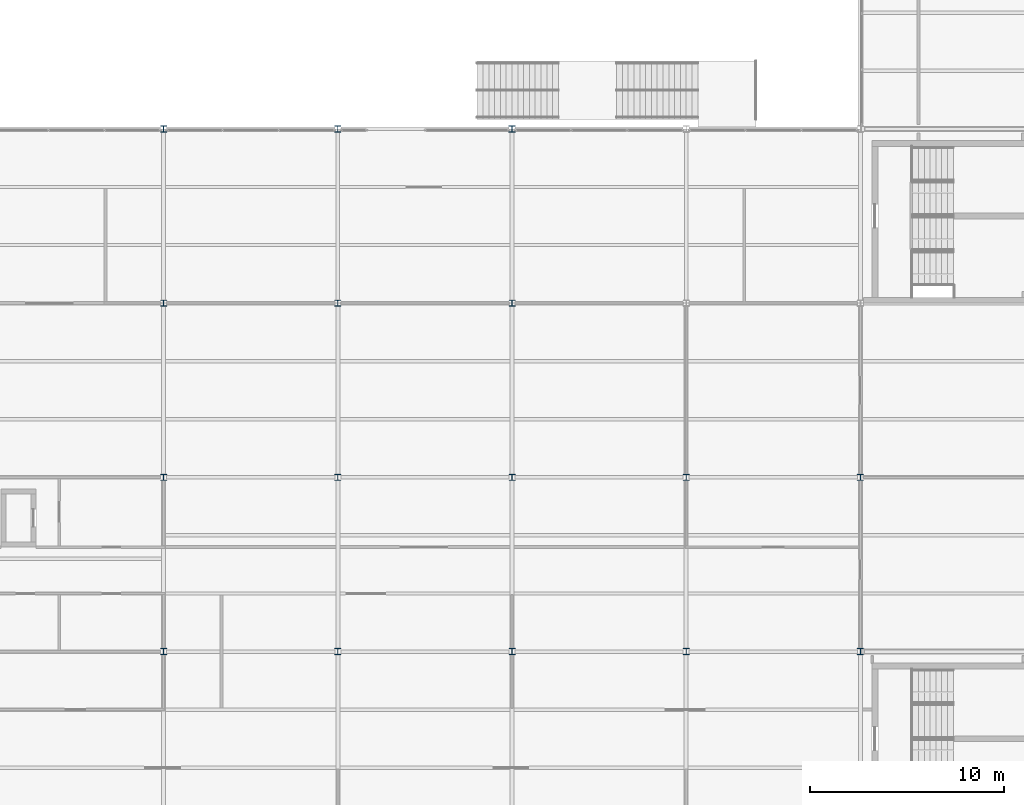
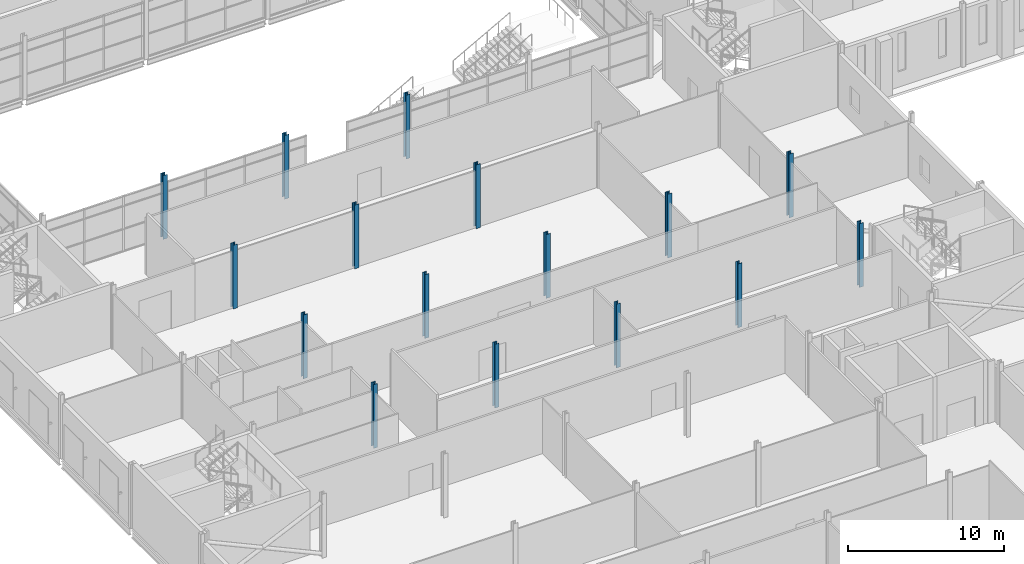
# One storey, part 6 of 112: 16 columns.
"""IFC4 building model written with IfcOpenShell, lengths in metres."""

from ifc_helpers import new_model, si_unit, direction, frame, origin, origin_2d, place, context, subcontext, project, spatial, i_section, extrude, material, material_profile, profile_set, type_object, element, save


model = new_model("IFC4")

# Units and contexts
model_context = context("Model", 3, precision=1e-05, world=origin(), true_north=direction((0.0, 1.0)))
body_context = subcontext(model_context, "Body", "Model", "MODEL_VIEW")
ifc_project = project(units=[si_unit("LENGTHUNIT", "METRE"), si_unit("AREAUNIT", "SQUARE_METRE"), si_unit("VOLUMEUNIT", "CUBIC_METRE"), si_unit("PLANEANGLEUNIT", "RADIAN"), si_unit("MASSUNIT", "GRAM", prefix="KILO")], contexts=[model_context])

# Site, building, storey
site_placement = place(None, origin())
site = spatial("IfcSite", under=ifc_project, at=site_placement, CompositionType="ELEMENT")
building_placement = place(site_placement, origin())
building = spatial("IfcBuilding", under=site, at=building_placement, Name="Shorebreak Coast Museum", CompositionType="ELEMENT")
storey_placement = place(building_placement, frame((0.0, 0.0, 6.0)))
storey = spatial("IfcBuildingStorey", under=building, at=storey_placement, Name="L01", CompositionType="ELEMENT", Elevation=6.0)

# Columns
ifc_material_1 = material(Name="Steel Grade 300", Category="steel")
ifc_material_profile_1 = material_profile(ifc_material_1, i_section(OverallWidth=0.30908203125, OverallDepth=0.320556640625, WebThickness=0.013916015625, FlangeThickness=0.021728515625, FilletRadius=0.0166015625, at=origin_2d()), Name="310UC137")
ifc_profile_set_1 = profile_set([ifc_material_profile_1], Name="Steel Grade 300")
column_type_1 = type_object("IfcColumnType", Name="Column 310UC137", PredefinedType="COLUMN", material=ifc_profile_set_1)
for number, where, z_axis, x_axis, name in (
    (1, (72.0, 36.0, 0.0), (0.0, 0.0, 1.0), (1.0, 0.0, 0.0), "Column L01 9E"),
    (2, (81.0, 36.0, 0.0), (0.0, 0.0, 1.0), (1.0, 0.0, 0.0), "Column L01 10E"),
    (3, (90.0, 36.0, 0.0), (0.0, 0.0, 1.0), (1.0, 0.0, 0.0), "Column L01 11E"),
    (4, (99.0, 36.0, 0.0), (0.0, 0.0, 1.0), (1.0, 0.0, 0.0), "Column L01 12E"),
    (5, (108.0, 36.0, 0.0), (0.0, 0.0, 1.0), (1.0, 0.0, 0.0), "Column L01 13E"),
    (6, (72.0, 45.0, 0.0), (0.0, 0.0, 1.0), (1.0, 0.0, 0.0), "Column L01 9F"),
    (7, (81.0, 45.0, 0.0), (0.0, 0.0, 1.0), (1.0, 0.0, 0.0), "Column L01 10F"),
    (8, (90.0, 45.0, 0.0), (0.0, 0.0, 1.0), (1.0, 0.0, 0.0), "Column L01 11F"),
    (9, (99.0, 45.0, 0.0), (0.0, 0.0, 1.0), (1.0, 0.0, 0.0), "Column L01 12F"),
    (10, (108.0, 45.0, 0.0), (0.0, 0.0, 1.0), (1.0, 0.0, 0.0), "Column L01 13F"),
    (11, (72.0, 54.0, 0.0), (0.0, 0.0, 1.0), (1.0, 0.0, 0.0), "Column L01 9G"),
    (12, (81.0, 54.0, 0.0), (0.0, 0.0, 1.0), (1.0, 0.0, 0.0), "Column L01 10G"),
    (13, (90.0, 54.0, 0.0), (0.0, 0.0, 1.0), (1.0, 0.0, 0.0), "Column L01 11G"),
):
    element("IfcColumn", number, at=place(storey_placement, frame(where, z_axis=z_axis, x_axis=x_axis)), inside=storey, type_object=column_type_1, Name=name, PredefinedType="COLUMN", context=body_context, shape_type="SweptSolid", body=[
        extrude(i_section(OverallWidth=0.30908203125, OverallDepth=0.320556640625, WebThickness=0.013916015625, FlangeThickness=0.021728515625, FilletRadius=0.0166015625, at=origin_2d()), origin(), (0.0, 0.0, 1.0), 5.0),
    ])
ifc_material_2 = material(Name="Steel Grade 300", Category="steel")
ifc_material_profile_2 = material_profile(ifc_material_2, i_section(OverallWidth=0.31103515625, OverallDepth=0.3271484375, WebThickness=0.015625, FlangeThickness=0.02490234375, FilletRadius=0.0166015625, at=origin_2d()), Name="310UC158")
ifc_profile_set_2 = profile_set([ifc_material_profile_2], Name="Steel Grade 300")
column_type_2 = type_object("IfcColumnType", Name="Column 310UC158", PredefinedType="COLUMN", material=ifc_profile_set_2)
for number, where, z_axis, x_axis, name in (
    (14, (72.0, 63.0, 0.0), (0.0, 0.0, 1.0), (1.0, 0.0, 0.0), "Column L01 9H"),
    (15, (81.0, 63.0, 0.0), (0.0, 0.0, 1.0), (1.0, 0.0, 0.0), "Column L01 10H"),
    (16, (90.0, 63.0, 0.0), (0.0, 0.0, 1.0), (1.0, 0.0, 0.0), "Column L01 11H"),
):
    element("IfcColumn", number, at=place(storey_placement, frame(where, z_axis=z_axis, x_axis=x_axis)), inside=storey, type_object=column_type_2, Name=name, PredefinedType="COLUMN", context=body_context, shape_type="SweptSolid", body=[
        extrude(i_section(OverallWidth=0.31103515625, OverallDepth=0.3271484375, WebThickness=0.015625, FlangeThickness=0.02490234375, FilletRadius=0.0166015625, at=origin_2d()), origin(), (0.0, 0.0, 1.0), 5.0),
    ])

save(model, "model.ifc")
